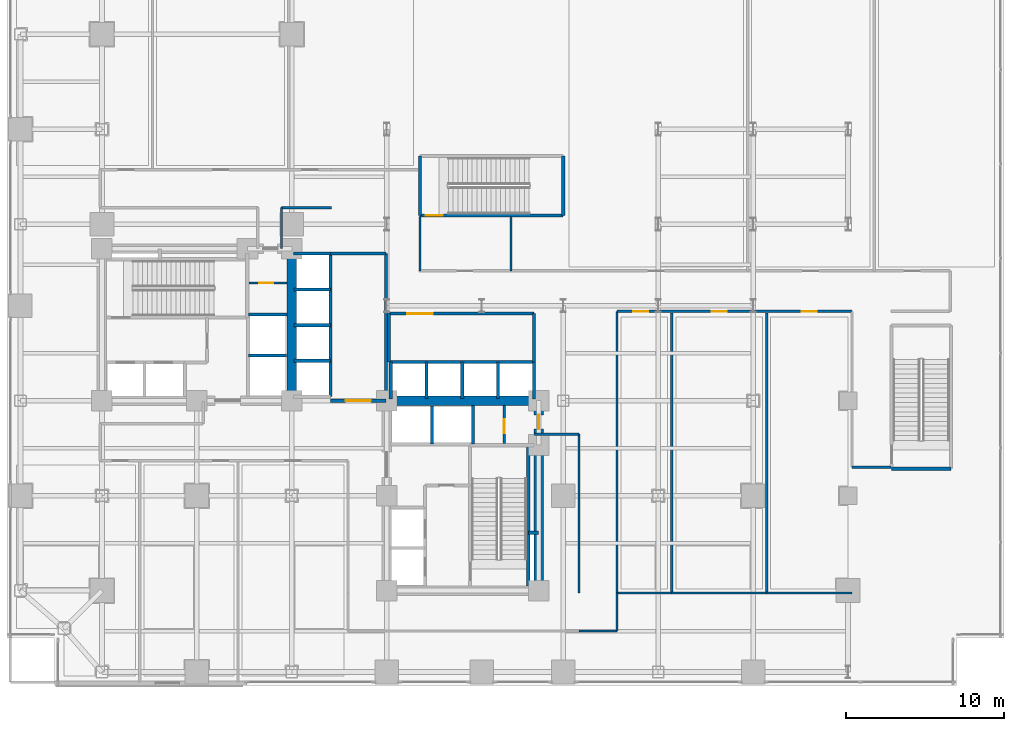
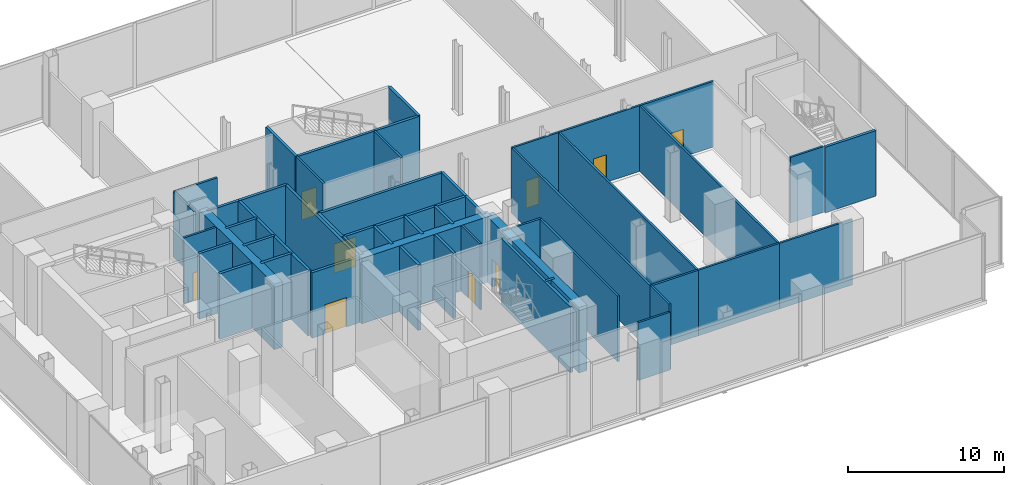
# One storey, part 22 of 27: 48 walls, 9 doors, 9 openings.
"""IFC4 building model written with IfcOpenShell, lengths in metres."""

from ifc_helpers import new_model, si_unit, direction, frame, frame_2d, origin, place, context, subcontext, project, spatial, rectangle, extrude, material, layer, layer_set, type_object, element, fill, save


model = new_model("IFC4")

# Units and contexts
model_context = context("Model", 3, precision=1e-05, world=origin(), true_north=direction((0.0, 1.0)))
body_context = subcontext(model_context, "Body", "Model", "MODEL_VIEW")
ifc_project = project(units=[si_unit("LENGTHUNIT", "METRE"), si_unit("AREAUNIT", "SQUARE_METRE"), si_unit("VOLUMEUNIT", "CUBIC_METRE"), si_unit("PLANEANGLEUNIT", "RADIAN"), si_unit("MASSUNIT", "GRAM", prefix="KILO"), si_unit("THERMODYNAMICTEMPERATUREUNIT", "KELVIN"), si_unit("POWERUNIT", "WATT")], contexts=[model_context])

# Site, building, storey
site_placement = place(None, origin())
site = spatial("IfcSite", under=ifc_project, at=site_placement, CompositionType="ELEMENT")
building_placement = place(site_placement, origin())
building = spatial("IfcBuilding", under=site, at=building_placement, Name="Svarakhadi Broadcast Tower", CompositionType="ELEMENT")
storey_placement = place(building_placement, frame((0.0, 0.0, 16.5)))
storey = spatial("IfcBuildingStorey", under=building, at=storey_placement, Name="L03", CompositionType="ELEMENT", Elevation=16.5)

# Wall
ifc_material_1 = material(Name="Concrete C40/50 (IS 456 M50)", Category="concrete")
ifc_layer_1 = layer(ifc_material_1, 0.199951171875)
ifc_layer_set_1 = layer_set([ifc_layer_1], Name="Concrete C40/50 (IS 456 M50)")
wall_type_1 = type_object("IfcWallType", Name="Wall_Fire_200", PredefinedType="SOLIDWALL", material=ifc_layer_set_1)
wall_1_placement = place(storey_placement, frame((32.93994140625, 9.659912109375, 0.0), z_axis=(0.0, 0.0, 1.0), x_axis=(1.0, 0.0, 0.0)))
element("IfcWall", 1, at=wall_1_placement, inside=storey, type_object=wall_type_1, Name="L03 HV Busduct Riser Shaft North Wall", PredefinedType="SOLIDWALL", context=body_context, shape_type="SweptSolid", body=[
    extrude(rectangle(XDim=0.64013671875, YDim=0.199951171875, at=frame_2d((0.320068359375, 0.0))), origin(), (0.0, 0.0, 1.0), 5.125),
])

# Wall, opening, door
ifc_material_2 = material(Name="Autoclaved Aerated Concrete Blockwork 150 mm", Category="masonry")
ifc_layer_2 = layer(ifc_material_2, 0.14990234375)
ifc_layer_set_2 = layer_set([ifc_layer_2], Name="Autoclaved Aerated Concrete Blockwork 150 mm")
wall_type_2 = type_object("IfcWallType", Name="Wall_Part_150", PredefinedType="PARTITIONING", material=ifc_layer_set_2)
wall_2_placement = place(storey_placement, frame((15.280029296875, 25.43994140625, 0.0), z_axis=(0.0, 0.0, 1.0), x_axis=(1.0, 0.0, 0.0)))
wall_2 = element("IfcWall", 2, at=wall_2_placement, inside=storey, type_object=wall_type_2, Name="L03 West Core Dual Store Wall", PredefinedType="PARTITIONING", context=body_context, shape_type="SweptSolid", body=[
    extrude(rectangle(XDim=2.419921875, YDim=0.14990234375, at=frame_2d((1.2099609375, 0.0))), origin(), (0.0, 0.0, 1.0), 5.125),
])
opening_1_placement = place(wall_2_placement, frame((0.64990234375, 0.0, 0.0)))
opening_1 = element("IfcOpeningElement", 3, at=opening_1_placement, cuts=wall_2, Name="Opening D-03", PredefinedType="OPENING", context=body_context, shape_type="SweptSolid", body=[
    extrude(rectangle(XDim=0.89990234375, YDim=2.14990234375, at=frame_2d((0.449951171875, 1.074951171875))), frame((0.0, 0.0849609375, 0.0), z_axis=(0.0, -1.0, 0.0), x_axis=(1.0, 0.0, 0.0)), (0.0, 0.0, 1.0), 0.169921875),
])
ifc_material_3 = material(Name="Galvanised Powder-Coated Fire-Rated Steel Leaf", Category="steel")
door_type_1 = type_object("IfcDoorType", Name="Door_Fire_D03", OperationType="SINGLE_SWING_LEFT", PredefinedType="DOOR", material=ifc_material_3)
door_1_placement = place(opening_1_placement, origin())
door_1 = element("IfcDoor", 4, at=door_1_placement, inside=storey, type_object=door_type_1, Name="L03 West Core Store B Door", OperationType="SINGLE_SWING_LEFT", OverallHeight=2.14990234375, OverallWidth=0.89990234375, PredefinedType="DOOR", context=body_context, shape_type="SweptSolid", body=[
    extrude(rectangle(XDim=0.89990234375, YDim=2.14990234375, at=frame_2d((0.449951171875, 1.074951171875))), frame((0.0, 0.02490234375, 0.0), z_axis=(0.0, -1.0, 0.0), x_axis=(1.0, 0.0, 0.0)), (0.0, 0.0, 1.0), 0.050048828125),
])
fill(opening_1, door_1)

wall_3_placement = place(storey_placement, frame((31.419921875, 15.280029296875, 0.0), z_axis=(0.0, 0.0, 1.0), x_axis=(0.0, 1.0, 0.0)))
wall_3 = element("IfcWall", 5, at=wall_3_placement, inside=storey, type_object=wall_type_2, Name="L03 East Core Dual Store Wall", PredefinedType="PARTITIONING", context=body_context, shape_type="SweptSolid", body=[
    extrude(rectangle(XDim=2.419921875, YDim=0.14990234375, at=frame_2d((1.2099609375, 0.0))), origin(), (0.0, 0.0, 1.0), 5.125),
])
opening_2_placement = place(wall_3_placement, frame((0.64990234375, 0.0, 0.0)))
opening_2 = element("IfcOpeningElement", 6, at=opening_2_placement, cuts=wall_3, Name="Opening D-04", PredefinedType="OPENING", context=body_context, shape_type="SweptSolid", body=[
    extrude(rectangle(XDim=0.89990234375, YDim=2.14990234375, at=frame_2d((0.449951171875, 1.074951171875))), frame((0.0, 0.0849609375, 0.0), z_axis=(0.0, -1.0, 0.0), x_axis=(1.0, 0.0, 0.0)), (0.0, 0.0, 1.0), 0.169921875),
])
door_type_2 = type_object("IfcDoorType", Name="Door_Fire_D04", OperationType="SINGLE_SWING_RIGHT", PredefinedType="DOOR", material=ifc_material_3)
door_2_placement = place(opening_2_placement, origin())
door_2 = element("IfcDoor", 7, at=door_2_placement, inside=storey, type_object=door_type_2, Name="L03 East Core Store B Door", OperationType="SINGLE_SWING_RIGHT", OverallHeight=2.14990234375, OverallWidth=0.89990234375, PredefinedType="DOOR", context=body_context, shape_type="SweptSolid", body=[
    extrude(rectangle(XDim=0.89990234375, YDim=2.14990234375, at=frame_2d((0.449951171875, 1.074951171875))), frame((0.0, 0.02490234375, 0.0), z_axis=(0.0, -1.0, 0.0), x_axis=(1.0, 0.0, 0.0)), (0.0, 0.0, 1.0), 0.050048828125),
])
fill(opening_2, door_2)

# Walls
wall_4_placement = place(storey_placement, frame((36.14990234375, 5.85009765625, 0.0), z_axis=(0.0, 0.0, 1.0), x_axis=(0.0, 1.0, 0.0)))
element("IfcWall", 8, at=wall_4_placement, inside=storey, type_object=wall_type_2, Name="L03 Podium Gallery Wall", PredefinedType="PARTITIONING", context=body_context, shape_type="SweptSolid", body=[
    extrude(rectangle(XDim=10.02978515625, YDim=0.14990234375, at=frame_2d((5.014892578125, 0.0))), origin(), (0.0, 0.0, 1.0), 5.125),
])
wall_5_placement = place(storey_placement, frame((36.14990234375, 15.8798828125, 0.0), z_axis=(0.0, 0.0, 1.0), x_axis=(-1.0, 0.0, 0.0)))
element("IfcWall", 9, at=wall_5_placement, inside=storey, type_object=wall_type_2, Name="L03 Podium Gallery Wall", PredefinedType="PARTITIONING", context=body_context, shape_type="SweptSolid", body=[
    extrude(rectangle(XDim=2.809814453125, YDim=0.14990234375, at=frame_2d((1.40478515625, 0.0))), origin(), (0.0, 0.0, 1.0), 5.125),
])
wall_6_placement = place(storey_placement, frame((20.5, 30.199951171875, 0.0), z_axis=(0.0, 0.0, 1.0), x_axis=(-1.0, 0.0, 0.0)))
element("IfcWall", 10, at=wall_6_placement, inside=storey, type_object=wall_type_2, Name="L03 Podium Gallery Wall", PredefinedType="PARTITIONING", context=body_context, shape_type="SweptSolid", body=[
    extrude(rectangle(XDim=3.14990234375, YDim=0.14990234375, at=frame_2d((1.574951171875, 0.0))), origin(), (0.0, 0.0, 1.0), 5.125),
])
wall_7_placement = place(storey_placement, frame((17.35009765625, 30.199951171875, 0.0), z_axis=(0.0, 0.0, 1.0), x_axis=(0.0, -1.0, 0.0)))
element("IfcWall", 11, at=wall_7_placement, inside=storey, type_object=wall_type_2, Name="L03 Podium Gallery Wall", PredefinedType="PARTITIONING", context=body_context, shape_type="SweptSolid", body=[
    extrude(rectangle(XDim=2.579833984375, YDim=0.14990234375, at=frame_2d((1.2900390625, 0.0))), origin(), (0.0, 0.0, 1.0), 5.125),
])
wall_8_placement = place(storey_placement, frame((55.85009765625, 13.800048828125, 0.0), z_axis=(0.0, 0.0, 1.0), x_axis=(-1.0, 0.0, 0.0)))
element("IfcWall", 12, at=wall_8_placement, inside=storey, type_object=wall_type_2, Name="L03 Podium Gallery Wall", PredefinedType="PARTITIONING", context=body_context, shape_type="SweptSolid", body=[
    extrude(rectangle(XDim=2.4501953125, YDim=0.14990234375, at=frame_2d((1.22509765625, 0.0))), origin(), (0.0, 0.0, 1.0), 5.125),
])

# Wall, openings, doors
wall_9_placement = place(storey_placement, frame((53.39990234375, 23.639892578125, 0.0), z_axis=(0.0, 0.0, 1.0), x_axis=(-1.0, 0.0, 0.0)))
wall_9 = element("IfcWall", 13, at=wall_9_placement, inside=storey, type_object=wall_type_2, Name="L03 Podium Gallery Wall", PredefinedType="PARTITIONING", context=body_context, shape_type="SweptSolid", body=[
    extrude(rectangle(XDim=14.849853515625, YDim=0.14990234375, at=frame_2d((7.4248046875, 0.0))), origin(), (0.0, 0.0, 1.0), 5.125),
])
opening_3_placement = place(wall_9_placement, frame((12.8798828125, 0.0, 0.0)))
opening_3 = element("IfcOpeningElement", 14, at=opening_3_placement, cuts=wall_9, Name="Opening D-07", PredefinedType="OPENING", context=body_context, shape_type="SweptSolid", body=[
    extrude(rectangle(XDim=0.949951171875, YDim=2.14990234375, at=frame_2d((0.47509765625, 1.074951171875))), frame((0.0, 0.0849609375, 0.0), z_axis=(0.0, -1.0, 0.0), x_axis=(1.0, 0.0, 0.0)), (0.0, 0.0, 1.0), 0.169921875),
])
opening_4_placement = place(wall_9_placement, frame((7.925048828125, 0.0, 0.0)))
opening_4 = element("IfcOpeningElement", 15, at=opening_4_placement, cuts=wall_9, Name="Opening D-07", PredefinedType="OPENING", context=body_context, shape_type="SweptSolid", body=[
    extrude(rectangle(XDim=0.949951171875, YDim=2.14990234375, at=frame_2d((0.47509765625, 1.074951171875))), frame((0.0, 0.0849609375, 0.0), z_axis=(0.0, -1.0, 0.0), x_axis=(1.0, 0.0, 0.0)), (0.0, 0.0, 1.0), 0.169921875),
])
opening_5_placement = place(wall_9_placement, frame((2.22509765625, 0.0, 0.0)))
opening_5 = element("IfcOpeningElement", 16, at=opening_5_placement, cuts=wall_9, Name="Opening D-06", PredefinedType="OPENING", context=body_context, shape_type="SweptSolid", body=[
    extrude(rectangle(XDim=0.949951171875, YDim=2.14990234375, at=frame_2d((0.47509765625, 1.074951171875))), frame((0.0, 0.0849609375, 0.0), z_axis=(0.0, -1.0, 0.0), x_axis=(1.0, 0.0, 0.0)), (0.0, 0.0, 1.0), 0.169921875),
])
ifc_material_4 = material(Name="Solid-Core Teak Veneer Acoustic Timber Leaf", Category="wood")
door_type_3 = type_object("IfcDoorType", Name="Door_Office_D06", OperationType="SINGLE_SWING_LEFT", PredefinedType="DOOR", material=ifc_material_4)
door_3_placement = place(opening_5_placement, origin())
door_3 = element("IfcDoor", 17, at=door_3_placement, inside=storey, type_object=door_type_3, Name="L03 L03 Broadcast Technical Archive Room Door", OperationType="SINGLE_SWING_LEFT", OverallHeight=2.14990234375, OverallWidth=0.949951171875, PredefinedType="DOOR", context=body_context, shape_type="SweptSolid", body=[
    extrude(rectangle(XDim=0.949951171875, YDim=2.14990234375, at=frame_2d((0.47509765625, 1.074951171875))), frame((0.0, 0.02490234375, 0.0), z_axis=(0.0, -1.0, 0.0), x_axis=(1.0, 0.0, 0.0)), (0.0, 0.0, 1.0), 0.050048828125),
])
fill(opening_5, door_3)
door_type_4 = type_object("IfcDoorType", Name="Door_Office_D07", OperationType="SINGLE_SWING_RIGHT", PredefinedType="DOOR", material=ifc_material_4)
door_4_placement = place(opening_3_placement, origin())
door_4 = element("IfcDoor", 18, at=door_4_placement, inside=storey, type_object=door_type_4, Name="L03 L03 Broadcast Newsroom Floor Door", OperationType="SINGLE_SWING_RIGHT", OverallHeight=2.14990234375, OverallWidth=0.949951171875, PredefinedType="DOOR", context=body_context, shape_type="SweptSolid", body=[
    extrude(rectangle(XDim=0.949951171875, YDim=2.14990234375, at=frame_2d((0.47509765625, 1.074951171875))), frame((0.0, 0.02490234375, 0.0), z_axis=(0.0, -1.0, 0.0), x_axis=(1.0, 0.0, 0.0)), (0.0, 0.0, 1.0), 0.050048828125),
])
fill(opening_3, door_4)
door_5_placement = place(opening_4_placement, origin())
door_5 = element("IfcDoor", 19, at=door_5_placement, inside=storey, type_object=door_type_4, Name="L03 L03 Production Control Gallery Door", OperationType="SINGLE_SWING_RIGHT", OverallHeight=2.14990234375, OverallWidth=0.949951171875, PredefinedType="DOOR", context=body_context, shape_type="SweptSolid", body=[
    extrude(rectangle(XDim=0.949951171875, YDim=2.14990234375, at=frame_2d((0.47509765625, 1.074951171875))), frame((0.0, 0.02490234375, 0.0), z_axis=(0.0, -1.0, 0.0), x_axis=(1.0, 0.0, 0.0)), (0.0, 0.0, 1.0), 0.050048828125),
])
fill(opening_4, door_5)

# Walls
wall_10_placement = place(storey_placement, frame((38.550048828125, 23.639892578125, 0.0), z_axis=(0.0, 0.0, 1.0), x_axis=(0.0, -1.0, 0.0)))
element("IfcWall", 20, at=wall_10_placement, inside=storey, type_object=wall_type_2, Name="L03 Podium Gallery Wall", PredefinedType="PARTITIONING", context=body_context, shape_type="SweptSolid", body=[
    extrude(rectangle(XDim=17.789794921875, YDim=0.14990234375, at=frame_2d((8.89501953125, 0.0))), origin(), (0.0, 0.0, 1.0), 5.125),
])
wall_11_placement = place(storey_placement, frame((38.550048828125, 5.85009765625, 0.0), z_axis=(0.0, 0.0, 1.0), x_axis=(0.0, -1.0, 0.0)))
element("IfcWall", 21, at=wall_11_placement, inside=storey, type_object=wall_type_2, Name="L03 Podium Gallery Wall", PredefinedType="PARTITIONING", context=body_context, shape_type="SweptSolid", body=[
    extrude(rectangle(XDim=2.400146484375, YDim=0.14990234375, at=frame_2d((1.2001953125, 0.0))), origin(), (0.0, 0.0, 1.0), 5.125),
])
wall_12_placement = place(storey_placement, frame((38.550048828125, 3.449951171875, 0.0), z_axis=(0.0, 0.0, 1.0), x_axis=(-1.0, 0.0, 0.0)))
element("IfcWall", 22, at=wall_12_placement, inside=storey, type_object=wall_type_2, Name="L03 Podium Gallery Wall", PredefinedType="PARTITIONING", context=body_context, shape_type="SweptSolid", body=[
    extrude(rectangle(XDim=2.400146484375, YDim=0.14990234375, at=frame_2d((1.2001953125, 0.0))), origin(), (0.0, 0.0, 1.0), 4.51708984375),
])
for number, where, z_axis, x_axis, name in (
    (23, (26.10009765625, 26.199951171875, 0.0), (0.0, 0.0, 1.0), (0.0, 1.0, 0.0), "L03 Staff Toilet WC Wall"),
    (24, (31.85009765625, 26.199951171875, 0.0), (0.0, 0.0, 1.0), (0.0, 1.0, 0.0), "L03 Staff Toilet WC Wall"),
    (25, (38.550048828125, 5.85009765625, 0.0), (0.0, 0.0, 1.0), (1.0, 0.0, 0.0), "L03 L03 Broadcast Newsroom Floor Wall"),
):
    element("IfcWall", number, at=place(storey_placement, frame(where, z_axis=z_axis, x_axis=x_axis)), inside=storey, type_object=wall_type_2, Name=name, PredefinedType="PARTITIONING", context=body_context, shape_type="SweptSolid", body=[
        extrude(rectangle(XDim=3.449951171875, YDim=0.14990234375, at=frame_2d((1.72509765625, 0.0))), origin(), (0.0, 0.0, 1.0), 5.125),
    ])
wall_13_placement = place(storey_placement, frame((42.0, 5.85009765625, 0.0), z_axis=(0.0, 0.0, 1.0), x_axis=(0.0, 1.0, 0.0)))
element("IfcWall", 26, at=wall_13_placement, inside=storey, type_object=wall_type_2, Name="L03 L03 Broadcast Newsroom Floor Wall", PredefinedType="PARTITIONING", context=body_context, shape_type="SweptSolid", body=[
    extrude(rectangle(XDim=17.699951171875, YDim=0.14990234375, at=frame_2d((8.85009765625, 0.0))), origin(), (0.0, 0.0, 1.0), 5.125),
])
wall_14_placement = place(storey_placement, frame((42.0, 5.85009765625, 0.0), z_axis=(0.0, 0.0, 1.0), x_axis=(1.0, 0.0, 0.0)))
element("IfcWall", 27, at=wall_14_placement, inside=storey, type_object=wall_type_2, Name="L03 L03 Production Control Gallery Wall", PredefinedType="PARTITIONING", context=body_context, shape_type="SweptSolid", body=[
    extrude(rectangle(XDim=6.0, YDim=0.14990234375, at=frame_2d((3.0, 0.0))), origin(), (0.0, 0.0, 1.0), 5.125),
])
wall_15_placement = place(storey_placement, frame((48.0, 5.85009765625, 0.0), z_axis=(0.0, 0.0, 1.0), x_axis=(0.0, 1.0, 0.0)))
element("IfcWall", 28, at=wall_15_placement, inside=storey, type_object=wall_type_2, Name="L03 L03 Production Control Gallery Wall", PredefinedType="PARTITIONING", context=body_context, shape_type="SweptSolid", body=[
    extrude(rectangle(XDim=17.699951171875, YDim=0.14990234375, at=frame_2d((8.85009765625, 0.0))), origin(), (0.0, 0.0, 1.0), 5.125),
])
wall_16_placement = place(storey_placement, frame((48.0, 5.85009765625, 0.0), z_axis=(0.0, 0.0, 1.0), x_axis=(1.0, 0.0, 0.0)))
element("IfcWall", 29, at=wall_16_placement, inside=storey, type_object=wall_type_2, Name="L03 L03 Broadcast Technical Archive Room Wall", PredefinedType="PARTITIONING", context=body_context, shape_type="SweptSolid", body=[
    extrude(rectangle(XDim=5.39990234375, YDim=0.14990234375, at=frame_2d((2.699951171875, 0.0))), origin(), (0.0, 0.0, 1.0), 5.125),
])
ifc_material_5 = material(Name="Concrete C50/60 (IS 456 M60)", Category="concrete")
ifc_layer_3 = layer(ifc_material_5, 0.199951171875)
ifc_layer_set_3 = layer_set([ifc_layer_3], Name="Concrete C50/60 (IS 456 M60)")
wall_type_3 = type_object("IfcWallType", Name="Wall_Shear_200", PredefinedType="SHEAR", material=ifc_layer_set_3)
wall_17_placement = place(storey_placement, frame((32.93994140625, 6.300048828125, 0.0), z_axis=(0.0, 0.0, 1.0), x_axis=(0.0, 1.0, 0.0)))
element("IfcWall", 30, at=wall_17_placement, inside=storey, type_object=wall_type_3, Name="L03 Stair ST-02 East RC Shaft Wall", PredefinedType="SHEAR", context=body_context, shape_type="SweptSolid", body=[
    extrude(rectangle(XDim=8.8798828125, YDim=0.199951171875, at=frame_2d((4.43994140625, 0.0))), origin(), (0.0, 0.0, 1.0), 5.125),
])
wall_18_placement = place(storey_placement, frame((15.25, 20.85009765625, 0.0), z_axis=(0.0, 0.0, 1.0), x_axis=(1.0, 0.0, 0.0)))
element("IfcWall", 31, at=wall_18_placement, inside=storey, type_object=wall_type_3, Name="L03 High-Rise Lift LF-13/14 Divider", PredefinedType="SHEAR", context=body_context, shape_type="SweptSolid", body=[
    extrude(rectangle(XDim=2.39990234375, YDim=0.199951171875, at=frame_2d((1.199951171875, 0.0))), origin(), (0.0, 0.0, 1.0), 5.125),
])
wall_19_placement = place(storey_placement, frame((15.25, 23.449951171875, 0.0), z_axis=(0.0, 0.0, 1.0), x_axis=(1.0, 0.0, 0.0)))
element("IfcWall", 32, at=wall_19_placement, inside=storey, type_object=wall_type_3, Name="L03 High-Rise Lift LF-13/14 North Wall", PredefinedType="SHEAR", context=body_context, shape_type="SweptSolid", body=[
    extrude(rectangle(XDim=2.449951171875, YDim=0.199951171875, at=frame_2d((1.22509765625, 0.0))), origin(), (0.0, 0.0, 1.0), 5.125),
])
wall_20_placement = place(storey_placement, frame((26.85009765625, 15.25, 0.0), z_axis=(0.0, 0.0, 1.0), x_axis=(0.0, 1.0, 0.0)))
element("IfcWall", 33, at=wall_20_placement, inside=storey, type_object=wall_type_3, Name="L03 High-Rise Lift LF-15/16 Divider", PredefinedType="SHEAR", context=body_context, shape_type="SweptSolid", body=[
    extrude(rectangle(XDim=2.39990234375, YDim=0.199951171875, at=frame_2d((1.199951171875, 0.0))), origin(), (0.0, 0.0, 1.0), 5.125),
])
wall_21_placement = place(storey_placement, frame((29.449951171875, 15.25, 0.0), z_axis=(0.0, 0.0, 1.0), x_axis=(0.0, 1.0, 0.0)))
element("IfcWall", 34, at=wall_21_placement, inside=storey, type_object=wall_type_3, Name="L03 High-Rise Lift LF-15/16 East Wall", PredefinedType="SHEAR", context=body_context, shape_type="SweptSolid", body=[
    extrude(rectangle(XDim=2.449951171875, YDim=0.199951171875, at=frame_2d((1.22509765625, 0.0))), origin(), (0.0, 0.0, 1.0), 5.125),
])
wall_22_placement = place(storey_placement, frame((18.10009765625, 27.300048828125, 0.0), z_axis=(0.0, 0.0, 1.0), x_axis=(1.0, 0.0, 0.0)))
element("IfcWall", 35, at=wall_22_placement, inside=storey, type_object=wall_type_3, Name="L03 Bank A North Shaft Wall", PredefinedType="SHEAR", context=body_context, shape_type="SweptSolid", body=[
    extrude(rectangle(XDim=2.349853515625, YDim=0.199951171875, at=frame_2d((1.1748046875, 0.0))), origin(), (0.0, 0.0, 1.0), 5.125),
])
wall_23_placement = place(storey_placement, frame((20.449951171875, 18.25, 0.0), z_axis=(0.0, 0.0, 1.0), x_axis=(0.0, 1.0, 0.0)))
element("IfcWall", 36, at=wall_23_placement, inside=storey, type_object=wall_type_3, Name="L03 Bank A East Landing Wall", PredefinedType="SHEAR", context=body_context, shape_type="SweptSolid", body=[
    extrude(rectangle(XDim=9.050048828125, YDim=0.199951171875, at=frame_2d((4.52490234375, 0.0))), origin(), (0.0, 0.0, 1.0), 5.125),
])
for number, where, z_axis, x_axis, name in (
    (37, (18.14990234375, 20.52001953125, 0.0), (0.0, 0.0, 1.0), (1.0, 0.0, 0.0), "L03 Bank A Divider"),
    (38, (18.14990234375, 22.77001953125, 0.0), (0.0, 0.0, 1.0), (1.0, 0.0, 0.0), "L03 Bank A Divider"),
    (39, (18.14990234375, 25.02001953125, 0.0), (0.0, 0.0, 1.0), (1.0, 0.0, 0.0), "L03 Bank A Divider"),
):
    element("IfcWall", number, at=place(storey_placement, frame(where, z_axis=z_axis, x_axis=x_axis)), inside=storey, type_object=wall_type_3, Name=name, PredefinedType="SHEAR", context=body_context, shape_type="SweptSolid", body=[
        extrude(rectangle(XDim=2.300048828125, YDim=0.199951171875, at=frame_2d((1.14990234375, 0.0))), origin(), (0.0, 0.0, 1.0), 5.125),
    ])

# Wall, opening, door
wall_24_placement = place(storey_placement, frame((20.449951171875, 18.0, 0.0), z_axis=(0.0, 0.0, 1.0), x_axis=(1.0, 0.0, 0.0)))
wall_24 = element("IfcWall", 40, at=wall_24_placement, inside=storey, type_object=wall_type_3, Name="L03 Bank A Lift Hall South Wall", PredefinedType="SHEAR", context=body_context, shape_type="SweptSolid", body=[
    extrude(rectangle(XDim=3.5, YDim=0.199951171875, at=frame_2d((1.75, 0.0))), origin(), (0.0, 0.0, 1.0), 5.125),
])
opening_6_placement = place(wall_24_placement, frame((0.949951171875, 0.0, 0.0)))
opening_6 = element("IfcOpeningElement", 41, at=opening_6_placement, cuts=wall_24, Name="Opening D-05", PredefinedType="OPENING", context=body_context, shape_type="SweptSolid", body=[
    extrude(rectangle(XDim=1.60009765625, YDim=2.300048828125, at=frame_2d((0.800048828125, 1.14990234375))), frame((0.0, 0.10986328125, 0.0), z_axis=(0.0, -1.0, 0.0), x_axis=(1.0, 0.0, 0.0)), (0.0, 0.0, 1.0), 0.219970703125),
])
ifc_material_6 = material(Name="Anodised Bronze Aluminium AA 6063-T6", Category="aluminium")
door_type_5 = type_object("IfcDoorType", Name="Door_Lobby_D05", OperationType="DOUBLE_DOOR_SLIDING", PredefinedType="DOOR", material=ifc_material_6)
door_6_placement = place(opening_6_placement, origin())
door_6 = element("IfcDoor", 42, at=door_6_placement, inside=storey, type_object=door_type_5, Name="L03 Low-Rise Lift Hall Corridor Door", OperationType="DOUBLE_DOOR_SLIDING", OverallHeight=2.300048828125, OverallWidth=1.60009765625, PredefinedType="DOOR", context=body_context, shape_type="SweptSolid", body=[
    extrude(rectangle(XDim=1.60009765625, YDim=2.300048828125, at=frame_2d((0.800048828125, 1.14990234375))), frame((0.0, 0.02490234375, 0.0), z_axis=(0.0, -1.0, 0.0), x_axis=(1.0, 0.0, 0.0)), (0.0, 0.0, 1.0), 0.050048828125),
])
fill(opening_6, door_6)

# Walls
wall_25_placement = place(storey_placement, frame((20.449951171875, 27.300048828125, 0.0), z_axis=(0.0, 0.0, 1.0), x_axis=(1.0, 0.0, 0.0)))
element("IfcWall", 43, at=wall_25_placement, inside=storey, type_object=wall_type_3, Name="L03 Bank A Lift Hall North Wall", PredefinedType="SHEAR", context=body_context, shape_type="SweptSolid", body=[
    extrude(rectangle(XDim=3.5, YDim=0.199951171875, at=frame_2d((1.75, 0.0))), origin(), (0.0, 0.0, 1.0), 5.125),
])
wall_26_placement = place(storey_placement, frame((23.949951171875, 18.0, 0.0), z_axis=(0.0, 0.0, 1.0), x_axis=(0.0, 1.0, 0.0)))
element("IfcWall", 44, at=wall_26_placement, inside=storey, type_object=wall_type_3, Name="L03 Bank A Lift Hall East Wall", PredefinedType="SHEAR", context=body_context, shape_type="SweptSolid", body=[
    extrude(rectangle(XDim=9.300048828125, YDim=0.199951171875, at=frame_2d((4.64990234375, 0.0))), origin(), (0.0, 0.0, 1.0), 5.125),
])
for number, where, z_axis, x_axis, name in (
    (45, (33.300048828125, 18.10009765625, 0.0), (0.0, 0.0, 1.0), (0.0, 1.0, 0.0), "L03 Bank B East Shaft Wall"),
    (46, (24.25, 18.10009765625, 0.0), (0.0, 0.0, 1.0), (0.0, 1.0, 0.0), "L03 Bank B West Shaft Wall"),
):
    element("IfcWall", number, at=place(storey_placement, frame(where, z_axis=z_axis, x_axis=x_axis)), inside=storey, type_object=wall_type_3, Name=name, PredefinedType="SHEAR", context=body_context, shape_type="SweptSolid", body=[
        extrude(rectangle(XDim=2.349853515625, YDim=0.199951171875, at=frame_2d((1.1748046875, 0.0))), origin(), (0.0, 0.0, 1.0), 5.125),
    ])
wall_27_placement = place(storey_placement, frame((24.25, 20.449951171875, 0.0), z_axis=(0.0, 0.0, 1.0), x_axis=(1.0, 0.0, 0.0)))
element("IfcWall", 47, at=wall_27_placement, inside=storey, type_object=wall_type_3, Name="L03 Bank B North Landing Wall", PredefinedType="SHEAR", context=body_context, shape_type="SweptSolid", body=[
    extrude(rectangle(XDim=9.050048828125, YDim=0.199951171875, at=frame_2d((4.52490234375, 0.0))), origin(), (0.0, 0.0, 1.0), 5.125),
])
for number, where, z_axis, x_axis, name in (
    (48, (26.52001953125, 18.14990234375, 0.0), (0.0, 0.0, 1.0), (0.0, 1.0, 0.0), "L03 Bank B Divider"),
    (49, (28.77001953125, 18.14990234375, 0.0), (0.0, 0.0, 1.0), (0.0, 1.0, 0.0), "L03 Bank B Divider"),
    (50, (31.02001953125, 18.14990234375, 0.0), (0.0, 0.0, 1.0), (0.0, 1.0, 0.0), "L03 Bank B Divider"),
):
    element("IfcWall", number, at=place(storey_placement, frame(where, z_axis=z_axis, x_axis=x_axis)), inside=storey, type_object=wall_type_3, Name=name, PredefinedType="SHEAR", context=body_context, shape_type="SweptSolid", body=[
        extrude(rectangle(XDim=2.300048828125, YDim=0.199951171875, at=frame_2d((1.14990234375, 0.0))), origin(), (0.0, 0.0, 1.0), 5.125),
    ])

# Wall, opening, door
wall_28_placement = place(storey_placement, frame((24.14990234375, 23.5, 0.0), z_axis=(0.0, 0.0, 1.0), x_axis=(1.0, 0.0, 0.0)))
wall_28 = element("IfcWall", 51, at=wall_28_placement, inside=storey, type_object=wall_type_3, Name="L03 Bank B Lift Hall North Wall", PredefinedType="SHEAR", context=body_context, shape_type="SweptSolid", body=[
    extrude(rectangle(XDim=9.150146484375, YDim=0.199951171875, at=frame_2d((4.5751953125, 0.0))), origin(), (0.0, 0.0, 1.0), 5.125),
])
opening_7_placement = place(wall_28_placement, frame((1.14990234375, 0.0, 0.0)))
opening_7 = element("IfcOpeningElement", 52, at=opening_7_placement, cuts=wall_28, Name="Opening D-05", PredefinedType="OPENING", context=body_context, shape_type="SweptSolid", body=[
    extrude(rectangle(XDim=1.60009765625, YDim=2.300048828125, at=frame_2d((0.800048828125, 1.14990234375))), frame((0.0, 0.10986328125, 0.0), z_axis=(0.0, -1.0, 0.0), x_axis=(1.0, 0.0, 0.0)), (0.0, 0.0, 1.0), 0.219970703125),
])
door_7_placement = place(opening_7_placement, origin())
door_7 = element("IfcDoor", 53, at=door_7_placement, inside=storey, type_object=door_type_5, Name="L03 Mid-Rise Lift Hall North Corridor Door", OperationType="DOUBLE_DOOR_SLIDING", OverallHeight=2.300048828125, OverallWidth=1.60009765625, PredefinedType="DOOR", context=body_context, shape_type="SweptSolid", body=[
    extrude(rectangle(XDim=1.60009765625, YDim=2.300048828125, at=frame_2d((0.800048828125, 1.14990234375))), frame((0.0, 0.02490234375, 0.0), z_axis=(0.0, -1.0, 0.0), x_axis=(1.0, 0.0, 0.0)), (0.0, 0.0, 1.0), 0.050048828125),
])
fill(opening_7, door_7)

# Walls
for number, where, z_axis, x_axis, name in (
    (54, (33.300048828125, 20.449951171875, 0.0), (0.0, 0.0, 1.0), (0.0, 1.0, 0.0), "L03 Bank B Lift Hall East Wall"),
    (55, (24.14990234375, 20.449951171875, 0.0), (0.0, 0.0, 1.0), (0.0, 1.0, 0.0), "L03 Bank B Lift Hall West Wall"),
):
    element("IfcWall", number, at=place(storey_placement, frame(where, z_axis=z_axis, x_axis=x_axis)), inside=storey, type_object=wall_type_3, Name=name, PredefinedType="SHEAR", context=body_context, shape_type="SweptSolid", body=[
        extrude(rectangle(XDim=3.050048828125, YDim=0.199951171875, at=frame_2d((1.52490234375, 0.0))), origin(), (0.0, 0.0, 1.0), 5.125),
    ])

# Wall, opening, door
wall_29_placement = place(storey_placement, frame((26.10009765625, 29.699951171875, 0.0), z_axis=(0.0, 0.0, 1.0), x_axis=(1.0, 0.0, 0.0)))
wall_29 = element("IfcWall", 56, at=wall_29_placement, inside=storey, type_object=wall_type_3, Name="L03 Stair ST-03 South RC Shaft Wall", PredefinedType="SHEAR", context=body_context, shape_type="SweptSolid", body=[
    extrude(rectangle(XDim=9.0498046875, YDim=0.199951171875, at=frame_2d((4.52490234375, 0.0))), origin(), (0.0, 0.0, 1.0), 5.125),
])
opening_8_placement = place(wall_29_placement, frame((0.35009765625, 0.0, 0.0)))
opening_8 = element("IfcOpeningElement", 57, at=opening_8_placement, cuts=wall_29, Name="Opening D-01", PredefinedType="OPENING", context=body_context, shape_type="SweptSolid", body=[
    extrude(rectangle(XDim=1.10009765625, YDim=2.199951171875, at=frame_2d((0.550048828125, 1.10009765625))), frame((0.0, 0.10986328125, 0.0), z_axis=(0.0, -1.0, 0.0), x_axis=(1.0, 0.0, 0.0)), (0.0, 0.0, 1.0), 0.219970703125),
])
door_type_6 = type_object("IfcDoorType", Name="Door_Stair_D01", OperationType="SINGLE_SWING_LEFT", PredefinedType="DOOR", material=ifc_material_3)
door_8_placement = place(opening_8_placement, origin())
door_8 = element("IfcDoor", 58, at=door_8_placement, inside=storey, type_object=door_type_6, Name="L03 Podium Stair ST-03 Fire Door", OperationType="SINGLE_SWING_LEFT", OverallHeight=2.199951171875, OverallWidth=1.10009765625, PredefinedType="DOOR", context=body_context, shape_type="SweptSolid", body=[
    extrude(rectangle(XDim=1.10009765625, YDim=2.199951171875, at=frame_2d((0.550048828125, 1.10009765625))), frame((0.0, 0.02490234375, 0.0), z_axis=(0.0, -1.0, 0.0), x_axis=(1.0, 0.0, 0.0)), (0.0, 0.0, 1.0), 0.050048828125),
])
fill(opening_8, door_8)

# Walls
for number, where, z_axis, x_axis, name in (
    (59, (26.10009765625, 29.699951171875, 0.0), (0.0, 0.0, 1.0), (0.0, 1.0, 0.0), "L03 Stair ST-03 West RC Shaft Wall"),
    (60, (35.14990234375, 29.699951171875, 0.0), (0.0, 0.0, 1.0), (0.0, 1.0, 0.0), "L03 Stair ST-03 East RC Shaft Wall"),
    (61, (55.89990234375, 13.699951171875, 0.0), (0.0, 0.0, 1.0), (1.0, 0.0, 0.0), "L03 Stair ST-04 South RC Shaft Wall"),
):
    element("IfcWall", number, at=place(storey_placement, frame(where, z_axis=z_axis, x_axis=x_axis)), inside=storey, type_object=wall_type_3, Name=name, PredefinedType="SHEAR", context=body_context, shape_type="SweptSolid", body=[
        extrude(rectangle(XDim=3.760009765625, YDim=0.199951171875, at=frame_2d((1.8798828125, 0.0))), origin(), (0.0, 0.0, 1.0), 5.125),
    ])
ifc_material_7 = material(Name="Concrete C60/75 (IS 456 M70)", Category="concrete")
ifc_layer_4 = layer(ifc_material_7, 0.60009765625)
ifc_layer_set_4 = layer_set([ifc_layer_4], Name="Concrete C60/75 (IS 456 M70)")
wall_type_4 = type_object("IfcWallType", Name="Wall_Shear_600", PredefinedType="SHEAR", material=ifc_layer_set_4)
for number, where, z_axis, x_axis, name in (
    (62, (18.0, 18.0, 0.0), (0.0, 0.0, 1.0), (0.0, 1.0, 0.0), "L03 West Core East Shear Wall"),
    (63, (24.0, 18.0, 0.0), (0.0, 0.0, 1.0), (1.0, 0.0, 0.0), "L03 East Core North Shear Wall"),
):
    element("IfcWall", number, at=place(storey_placement, frame(where, z_axis=z_axis, x_axis=x_axis)), inside=storey, type_object=wall_type_4, Name=name, PredefinedType="SHEAR", context=body_context, shape_type="SweptSolid", body=[
        extrude(rectangle(XDim=9.60009765625, YDim=0.60009765625, at=frame_2d((4.800048828125, 0.0))), origin(), (0.0, 0.0, 1.0), 5.125),
    ])

# Wall, opening, door
wall_30_placement = place(storey_placement, frame((33.60009765625, 6.0, 0.0), z_axis=(0.0, 0.0, 1.0), x_axis=(0.0, 1.0, 0.0)))
wall_30 = element("IfcWall", 64, at=wall_30_placement, inside=storey, type_object=wall_type_4, Name="L03 East Core East Shear Wall", PredefinedType="SHEAR", context=body_context, shape_type="SweptSolid", body=[
    extrude(rectangle(XDim=12.0, YDim=0.60009765625, at=frame_2d((6.0, 0.0))), origin(), (0.0, 0.0, 1.0), 5.125),
])
opening_9_placement = place(wall_30_placement, frame((10.199951171875, 0.0, 0.0)))
opening_9 = element("IfcOpeningElement", 65, at=opening_9_placement, cuts=wall_30, Name="Opening D-04", PredefinedType="OPENING", context=body_context, shape_type="SweptSolid", body=[
    extrude(rectangle(XDim=0.89990234375, YDim=2.14990234375, at=frame_2d((0.449951171875, 1.074951171875))), frame((0.0, 0.31005859375, 0.0), z_axis=(0.0, -1.0, 0.0), x_axis=(1.0, 0.0, 0.0)), (0.0, 0.0, 1.0), 0.6201171875),
])
door_9_placement = place(opening_9_placement, origin())
door_9 = element("IfcDoor", 66, at=door_9_placement, inside=storey, type_object=door_type_2, Name="L03 East Core Store A Door", OperationType="SINGLE_SWING_RIGHT", OverallHeight=2.14990234375, OverallWidth=0.89990234375, PredefinedType="DOOR", context=body_context, shape_type="SweptSolid", body=[
    extrude(rectangle(XDim=0.89990234375, YDim=2.14990234375, at=frame_2d((0.449951171875, 1.074951171875))), frame((0.0, 0.02490234375, 0.0), z_axis=(0.0, -1.0, 0.0), x_axis=(1.0, 0.0, 0.0)), (0.0, 0.0, 1.0), 0.050048828125),
])
fill(opening_9, door_9)

save(model, "model.ifc")
